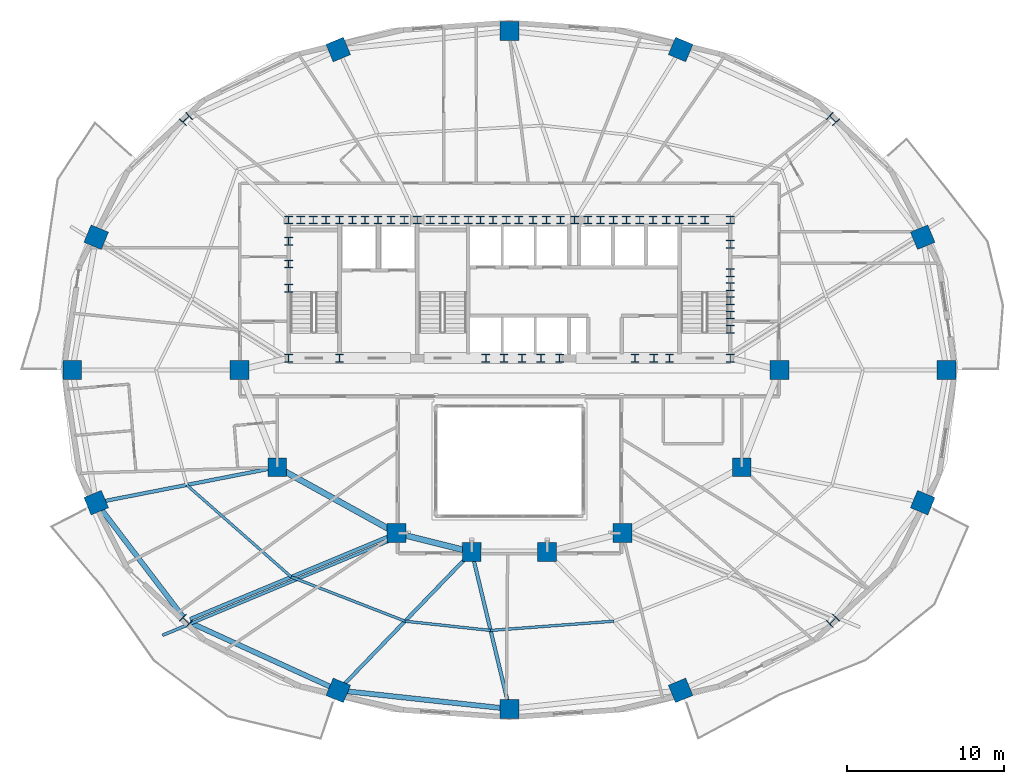
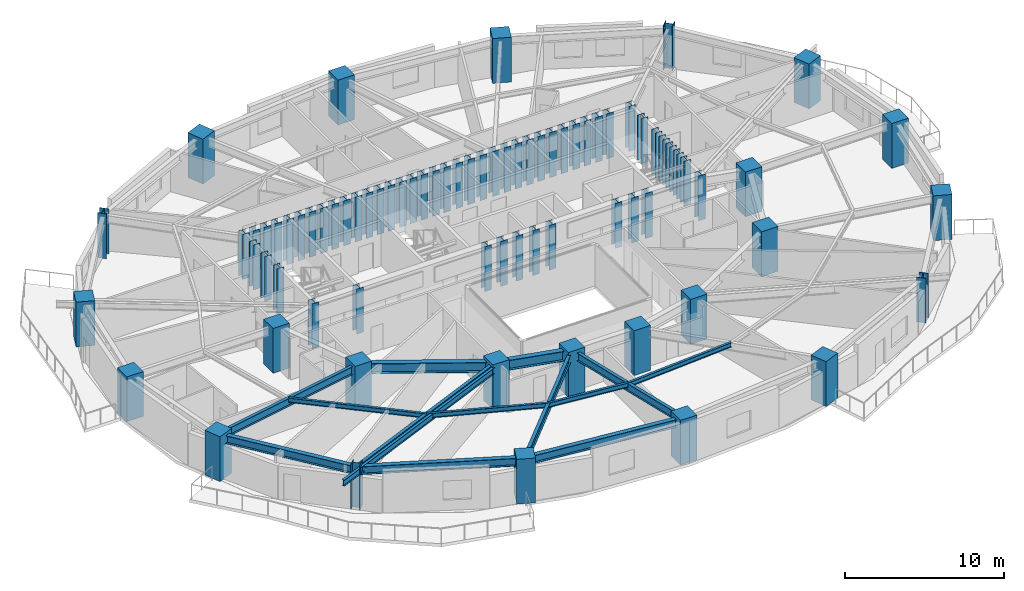
# One storey, part 1 of 14: 78 columns, 14 beams.
"""IFC4 building model written with IfcOpenShell, lengths in metres."""

import ifcopenshell
import ifcopenshell.guid

model = None  # the IFC model being written
_history = None  # IfcOwnerHistory: only IFC2X3 demands one
_inside = {}  # id of a spatial element -> (the spatial element, [elements in it])
_under = {}  # id of a project, library or spatial element -> (it, [spatial elements below it])
_declared = {}  # id of a project -> (the project, [libraries it declares])
_typed = {}  # id of a type object -> (the type object, [elements of that type])
_made_of = {}  # id of a material, layer set ... -> (it, [elements and type objects made of it])


def new_model(schema):
    """Start an empty IFC model of exactly this schema.

    Asked for "IFC4X3", IfcOpenShell would pick the latest addendum, in which some entities
    have other attributes; the version numbers below select the first issue.
    IFC2X3 requires an IfcOwnerHistory on every rooted entity: one is made here for all.
    """
    global model, _history
    if schema == "IFC4X3":
        model = ifcopenshell.file(schema_version=(4, 3, 0, 0))
    else:
        model = ifcopenshell.file(schema=schema)
    _inside.clear()
    _under.clear()
    _declared.clear()
    _typed.clear()
    _made_of.clear()
    _history = None
    if model.schema == "IFC2X3":
        org = make("IfcOrganization", Name="unknown")
        user = make(
            "IfcPersonAndOrganization",
            ThePerson=make("IfcPerson", FamilyName="unknown"),
            TheOrganization=org,
        )
        app = make(
            "IfcApplication",
            ApplicationDeveloper=org,
            Version="unknown",
            ApplicationFullName="unknown",
            ApplicationIdentifier="unknown",
        )
        _history = make(
            "IfcOwnerHistory",
            OwningUser=user,
            OwningApplication=app,
            ChangeAction="ADDED",
            CreationDate=0,
        )
    return model


def make(cls, **values):
    """One entity of the class cls with the attributes given. An attribute that is None is left unset."""
    return model.create_entity(
        cls, **{name: value for name, value in values.items() if value is not None}
    )


def rooted(cls, **values):
    """An entity with a GlobalId (a new one), such as an element, a storey or a relation."""
    return make(cls, GlobalId=ifcopenshell.guid.new(), OwnerHistory=_history, **values)


def si_unit(unit_type, name, prefix=None):
    """IfcSIUnit, for example si_unit("LENGTHUNIT", "METRE", prefix="MILLI")."""
    return make("IfcSIUnit", UnitType=unit_type, Prefix=prefix, Name=name)


def assignment(units):
    """IfcUnitAssignment: the units of a project."""
    return None if units is None else make("IfcUnitAssignment", Units=units)


def point(xyz):
    """IfcCartesianPoint."""
    return None if xyz is None else make("IfcCartesianPoint", Coordinates=xyz)


def direction(xyz):
    """IfcDirection."""
    return None if xyz is None else make("IfcDirection", DirectionRatios=xyz)


def frame(location, z_axis=None, x_axis=None):
    """IfcAxis2Placement3D, a coordinate frame: its origin and axes. An axis left out is left unset."""
    return make(
        "IfcAxis2Placement3D",
        Location=point(location),
        Axis=direction(z_axis),
        RefDirection=direction(x_axis),
    )


def frame_2d(location, x_axis=None):
    """IfcAxis2Placement2D, a coordinate frame in the plane: its origin and x axis."""
    return make(
        "IfcAxis2Placement2D", Location=point(location), RefDirection=direction(x_axis)
    )


def origin():
    """The frame at (0, 0, 0) with its axes left unset."""
    return frame((0.0, 0.0, 0.0))


def origin_2d():
    """The frame at (0, 0) in the plane with its x axis left unset."""
    return frame_2d((0.0, 0.0))


def place(relative_to, where):
    """IfcLocalPlacement: puts the frame where relative to a parent placement (None: the world)."""
    return make(
        "IfcLocalPlacement", PlacementRelTo=relative_to, RelativePlacement=where
    )


def context(
    kind, dimensions, precision=None, world=None, true_north=None, identifier=None
):
    """IfcGeometricRepresentationContext, for example the 3D "Model" context."""
    return make(
        "IfcGeometricRepresentationContext",
        ContextIdentifier=identifier,
        ContextType=kind,
        CoordinateSpaceDimension=dimensions,
        Precision=precision,
        WorldCoordinateSystem=world,
        TrueNorth=true_north,
    )


def subcontext(parent, identifier, kind, view, scale=None):
    """IfcGeometricRepresentationSubContext, for example "Body" below "Model"."""
    return make(
        "IfcGeometricRepresentationSubContext",
        ContextIdentifier=identifier,
        ContextType=kind,
        ParentContext=parent,
        TargetScale=scale,
        TargetView=view,
    )


def project(units=None, contexts=None):
    """IfcProject with its units and contexts."""
    return rooted(
        "IfcProject",
        Name="project",
        RepresentationContexts=contexts,
        UnitsInContext=assignment(units),
    )


def spatial(cls, under=None, at=None, **own):
    """A site, building, storey or space (cls), placed at a placement, below another one or the project."""
    s = rooted(cls, ObjectPlacement=at, **own)
    if under is not None:
        _under.setdefault(under.id(), (under, []))[1].append(s)
    return s


def profile(cls, at=None, kind="AREA", **sizes):
    """A parametric profile (cls). Its sizes go by their IFC names, for example OverallWidth=200.0."""
    return make(cls, ProfileType=kind, Position=at, **sizes)


def rectangle(**sizes):
    """IfcRectangleProfileDef."""
    return profile("IfcRectangleProfileDef", **sizes)


def i_section(**sizes):
    """IfcIShapeProfileDef."""
    return profile("IfcIShapeProfileDef", **sizes)


def extrude(swept, where, along, depth):
    """IfcExtrudedAreaSolid: the profile swept, set in the frame where, extruded along a direction by depth."""
    return make(
        "IfcExtrudedAreaSolid",
        SweptArea=swept,
        Position=where,
        ExtrudedDirection=direction(along),
        Depth=depth,
    )


def shape(context_of_items, identifier, shape_type, items):
    """IfcShapeRepresentation: the items that make up one representation, for example the "Body"."""
    return make(
        "IfcShapeRepresentation",
        ContextOfItems=context_of_items,
        RepresentationIdentifier=identifier,
        RepresentationType=shape_type,
        Items=items,
    )


def material(Name=None, Category=None):
    """IfcMaterial."""
    return make("IfcMaterial", Name=Name, Category=Category)


def material_profile(
    of_material, cross_section, Name=None, Category=None, Priority=None
):
    """IfcMaterialProfile: a cross section and its material."""
    return make(
        "IfcMaterialProfile",
        Name=Name,
        Material=of_material,
        Profile=cross_section,
        Priority=Priority,
        Category=Category,
    )


def profile_set(profiles, Name=None, composite=None):
    """IfcMaterialProfileSet."""
    return make(
        "IfcMaterialProfileSet",
        Name=Name,
        MaterialProfiles=profiles,
        CompositeProfile=composite,
    )


def made_of(thing, what):
    """Note that an element or type object is made of a material, layer set ...; save() writes the relation."""
    if what is not None:
        _made_of.setdefault(what.id(), (what, []))[1].append(thing)
    return thing


def type_object(cls, material=None, **own):
    """A type object (cls), such as IfcWallType, which elements share."""
    return made_of(rooted(cls, **own), material)


def element(
    cls,
    number,
    at=None,
    inside=None,
    cuts=None,
    type_object=None,
    material=None,
    context=None,
    identifier="Body",
    shape_type=None,
    held_by="IfcProductDefinitionShape",
    body=None,
    shapes=None,
    **own,
):
    """One element of the class cls, such as IfcWall. Its Tag is "e" and its number.

    at: its placement. inside: the storey or other place that contains it. cuts: it is an
    opening in that element (IfcRelVoidsElement). A single representation is given by context,
    identifier, shape_type and body (its items); several are given by shapes. held_by: the class
    of the entity that holds the representations. save() writes the other relations.
    """
    e = rooted(cls, Tag="e%d" % number, ObjectPlacement=at, **own)
    if body is not None:
        shapes = [shape(context, identifier, shape_type, body)]
    if shapes is not None:
        e.Representation = make(held_by, Representations=shapes)
    if inside is not None:
        _inside.setdefault(inside.id(), (inside, []))[1].append(e)
    if cuts is not None:
        rooted(
            "IfcRelVoidsElement", RelatingBuildingElement=cuts, RelatedOpeningElement=e
        )
    if type_object is not None:
        _typed.setdefault(type_object.id(), (type_object, []))[1].append(e)
    return made_of(e, material)


def aggregate(whole, parts):
    """IfcRelAggregates: a whole, such as a stair, and the parts it consists of."""
    return rooted("IfcRelAggregates", RelatingObject=whole, RelatedObjects=parts)


def save(model, path):
    """Write the relations noted so far, then the file.

    IfcRelAggregates (storeys below a building ...), IfcRelContainedInSpatialStructure (elements
    in a storey), IfcRelDefinesByType, IfcRelAssociatesMaterial and IfcRelDeclares: one each for
    every whole, place, type object, material and project.
    """
    for whole, parts in _under.values():
        aggregate(whole, parts)
    for where, things in _inside.values():
        rooted(
            "IfcRelContainedInSpatialStructure",
            RelatedElements=things,
            RelatingStructure=where,
        )
    for kind, things in _typed.values():
        rooted("IfcRelDefinesByType", RelatedObjects=things, RelatingType=kind)
    for what, things in _made_of.values():
        rooted("IfcRelAssociatesMaterial", RelatedObjects=things, RelatingMaterial=what)
    for by, libraries in _declared.values():
        rooted("IfcRelDeclares", RelatingContext=by, RelatedDefinitions=libraries)
    model.write(path)


model = new_model("IFC4")

# Units and contexts
model_context = context("Model", 3, precision=1e-05, world=origin(), true_north=direction((0.0, 1.0)))
body_context = subcontext(model_context, "Body", "Model", "MODEL_VIEW")
ifc_project = project(units=[si_unit("LENGTHUNIT", "METRE"), si_unit("AREAUNIT", "SQUARE_METRE"), si_unit("VOLUMEUNIT", "CUBIC_METRE"), si_unit("PLANEANGLEUNIT", "RADIAN"), si_unit("MASSUNIT", "GRAM", prefix="KILO")], contexts=[model_context])

# Site, building, storey
site_placement = place(None, origin())
site = spatial("IfcSite", under=ifc_project, at=site_placement, CompositionType="ELEMENT")
building_placement = place(site_placement, origin())
building = spatial("IfcBuilding", under=site, at=building_placement, Name="Haldorwick Loom Tower", CompositionType="ELEMENT")
storey_placement = place(building_placement, frame((0.0, 0.0, 95.60009765625)))
storey = spatial("IfcBuildingStorey", under=building, at=storey_placement, Name="L25", CompositionType="ELEMENT", Elevation=95.60009765625)

# Columns
ifc_material_1 = material(Name="Concrete C60 (60 MPa)", Category="concrete")
ifc_material_profile_1 = material_profile(ifc_material_1, rectangle(XDim=1.199951171875, YDim=1.199951171875, at=origin_2d()), Name="RC1200X1200", Category="concrete")
ifc_profile_set_1 = profile_set([ifc_material_profile_1], Name="Concrete C60 (60 MPa)")
column_type_1 = type_object("IfcColumnType", Name="STR-COL-RC1200", PredefinedType="COLUMN", material=ifc_profile_set_1)
for number, where, z_axis, x_axis, name in (
    (1, (53.199951171875, 26.0, 0.0), (0.0, 0.0, 1.0), (1.0, 0.0, 0.0), "L25 Inner Column IC-01"),
    (2, (50.800048828125, 19.800048828125, 0.0), (0.0, 0.0, 1.0), (1.0, 0.0, 0.0), "L25 Inner Column IC-02"),
    (3, (43.199951171875, 15.60009765625, 0.0), (0.0, 0.0, 1.0), (1.0, 0.0, 0.0), "L25 Inner Column IC-03"),
    (4, (38.39990234375, 14.39990234375, 0.0), (0.0, 0.0, 1.0), (1.0, 0.0, 0.0), "L25 Inner Column IC-04"),
    (5, (33.60009765625, 14.39990234375, 0.0), (0.0, 0.0, 1.0), (1.0, 0.0, 0.0), "L25 Inner Column IC-05"),
    (6, (28.800048828125, 15.60009765625, 0.0), (0.0, 0.0, 1.0), (1.0, 0.0, 0.0), "L25 Inner Column IC-06"),
    (7, (21.199951171875, 19.800048828125, 0.0), (0.0, 0.0, 1.0), (1.0, 0.0, 0.0), "L25 Inner Column IC-07"),
    (8, (18.800048828125, 26.0, 0.0), (0.0, 0.0, 1.0), (1.0, 0.0, 0.0), "L25 Inner Column IC-08"),
    (9, (63.857666015625, 26.0, 0.0), (0.0, 0.0, 1.0), (1.0, 0.0, 0.0), "L25 Perimeter Pier Column P01"),
    (10, (62.33056640625, 34.457275390625, 0.0), (0.0, 0.0, 1.0), (0.923879532511, 0.382683432365, 0.0), "L25 Perimeter Pier Column P02"),
    (11, (46.906494140625, 46.417724609375, 0.0), (0.0, 0.0, 1.0), (0.382683432365, 0.923879532511, 0.0), "L25 Perimeter Pier Column P04"),
    (12, (36.0, 47.598388671875, 0.0), (0.0, 0.0, 1.0), (0.0, 1.0, 0.0), "L25 Perimeter Pier Column P05"),
    (13, (25.093505859375, 46.417724609375, 0.0), (0.0, 0.0, 1.0), (-0.382683432365, 0.923879532511, 0.0), "L25 Perimeter Pier Column P06"),
    (14, (9.66943359375, 34.457275390625, 0.0), (0.0, 0.0, 1.0), (-0.923879532511, 0.382683432365, 0.0), "L25 Perimeter Pier Column P08"),
    (15, (8.142333984375, 26.0, 0.0), (0.0, 0.0, 1.0), (-1.0, 0.0, 0.0), "L25 Perimeter Pier Column P09"),
    (16, (9.66943359375, 17.542724609375, 0.0), (0.0, 0.0, 1.0), (-0.923879532511, -0.382683432365, 0.0), "L25 Perimeter Pier Column P10"),
    (17, (25.093505859375, 5.582275390625, 0.0), (0.0, 0.0, 1.0), (-0.382683432365, -0.923879532511, 0.0), "L25 Perimeter Pier Column P12"),
    (18, (36.0, 4.401611328125, 0.0), (0.0, 0.0, 1.0), (0.0, -1.0, 0.0), "L25 Perimeter Pier Column P13"),
    (19, (46.906494140625, 5.582275390625, 0.0), (0.0, 0.0, 1.0), (0.382683432365, -0.923879532511, 0.0), "L25 Perimeter Pier Column P14"),
    (20, (62.33056640625, 17.542724609375, 0.0), (0.0, 0.0, 1.0), (0.923879532511, -0.382683432365, 0.0), "L25 Perimeter Pier Column P16"),
):
    element("IfcColumn", number, at=place(storey_placement, frame(where, z_axis=z_axis, x_axis=x_axis)), inside=storey, type_object=column_type_1, Name=name, PredefinedType="COLUMN", context=body_context, shape_type="SweptSolid", body=[
        extrude(rectangle(XDim=1.199951171875, YDim=1.199951171875, at=origin_2d()), origin(), (0.0, 0.0, 1.0), 3.449951171875),
    ])
ifc_material_2 = material(Name="Steel CSA G40.21 350WT", Category="steel")
ifc_material_profile_2 = material_profile(ifc_material_2, i_section(OverallWidth=0.5, OverallDepth=0.5, WebThickness=0.02197265625, FlangeThickness=0.031982421875, at=origin_2d()), Name="WWF500X500", Category="steel")
ifc_profile_set_2 = profile_set([ifc_material_profile_2], Name="Steel CSA G40.21 350WT")
column_type_2 = type_object("IfcColumnType", Name="STR-COL-WWF500", PredefinedType="COLUMN", material=ifc_profile_set_2)
for number, where, z_axis, x_axis, name in (
    (21, (21.929931640625, 35.550048828125, 0.0), (0.0, 0.0, 1.0), (1.0, 0.0, 0.0), "L25 Core Pilaster CB-01"),
    (22, (23.5, 35.550048828125, 0.0), (0.0, 0.0, 1.0), (1.0, 0.0, 0.0), "L25 Core Pilaster CB-02"),
    (23, (25.169921875, 35.550048828125, 0.0), (0.0, 0.0, 1.0), (1.0, 0.0, 0.0), "L25 Core Pilaster CB-03"),
    (24, (26.800048828125, 35.550048828125, 0.0), (0.0, 0.0, 1.0), (1.0, 0.0, 0.0), "L25 Core Pilaster CB-04"),
    (25, (28.449951171875, 35.550048828125, 0.0), (0.0, 0.0, 1.0), (1.0, 0.0, 0.0), "L25 Core Pilaster CB-05"),
    (26, (30.1298828125, 35.550048828125, 0.0), (0.0, 0.0, 1.0), (1.0, 0.0, 0.0), "L25 Core Pilaster CB-06"),
    (27, (31.75, 35.550048828125, 0.0), (0.0, 0.0, 1.0), (1.0, 0.0, 0.0), "L25 Core Pilaster CB-07"),
    (28, (33.3701171875, 35.550048828125, 0.0), (0.0, 0.0, 1.0), (1.0, 0.0, 0.0), "L25 Core Pilaster CB-08"),
    (29, (34.949951171875, 35.550048828125, 0.0), (0.0, 0.0, 1.0), (1.0, 0.0, 0.0), "L25 Core Pilaster CB-09"),
    (30, (36.60009765625, 35.550048828125, 0.0), (0.0, 0.0, 1.0), (1.0, 0.0, 0.0), "L25 Core Pilaster CB-10"),
    (31, (38.35009765625, 35.550048828125, 0.0), (0.0, 0.0, 1.0), (1.0, 0.0, 0.0), "L25 Core Pilaster CB-11"),
    (32, (40.14990234375, 35.550048828125, 0.0), (0.0, 0.0, 1.0), (1.0, 0.0, 0.0), "L25 Core Pilaster CB-12"),
    (33, (41.800048828125, 35.550048828125, 0.0), (0.0, 0.0, 1.0), (1.0, 0.0, 0.0), "L25 Core Pilaster CB-13"),
    (34, (43.449951171875, 35.550048828125, 0.0), (0.0, 0.0, 1.0), (1.0, 0.0, 0.0), "L25 Core Pilaster CB-14"),
    (35, (45.14990234375, 35.550048828125, 0.0), (0.0, 0.0, 1.0), (1.0, 0.0, 0.0), "L25 Core Pilaster CB-15"),
    (36, (46.830078125, 35.550048828125, 0.0), (0.0, 0.0, 1.0), (1.0, 0.0, 0.0), "L25 Core Pilaster CB-16"),
    (37, (48.449951171875, 35.550048828125, 0.0), (0.0, 0.0, 1.0), (1.0, 0.0, 0.0), "L25 Core Pilaster CB-17"),
    (38, (50.070068359375, 35.550048828125, 0.0), (0.0, 0.0, 1.0), (1.0, 0.0, 0.0), "L25 Core Pilaster CB-18"),
    (39, (21.929931640625, 26.75, 0.0), (0.0, 0.0, 1.0), (1.0, 0.0, 0.0), "L25 Core Pilaster CB-19"),
    (40, (25.169921875, 26.75, 0.0), (0.0, 0.0, 1.0), (1.0, 0.0, 0.0), "L25 Core Pilaster CB-20"),
    (41, (34.5, 26.75, 0.0), (0.0, 0.0, 1.0), (1.0, 0.0, 0.0), "L25 Core Pilaster CB-21"),
    (42, (36.800048828125, 26.75, 0.0), (0.0, 0.0, 1.0), (1.0, 0.0, 0.0), "L25 Core Pilaster CB-22"),
    (43, (39.199951171875, 26.75, 0.0), (0.0, 0.0, 1.0), (1.0, 0.0, 0.0), "L25 Core Pilaster CB-23"),
    (44, (45.199951171875, 26.75, 0.0), (0.0, 0.0, 1.0), (1.0, 0.0, 0.0), "L25 Core Pilaster CB-24"),
    (45, (50.070068359375, 26.75, 0.0), (0.0, 0.0, 1.0), (1.0, 0.0, 0.0), "L25 Core Pilaster CB-25"),
    (46, (21.929931640625, 31.199951171875, 0.0), (0.0, 0.0, 1.0), (1.0, 0.0, 0.0), "L25 Core Pilaster CB-26"),
    (47, (21.929931640625, 32.75, 0.0), (0.0, 0.0, 1.0), (1.0, 0.0, 0.0), "L25 Core Pilaster CB-27"),
    (48, (21.929931640625, 34.199951171875, 0.0), (0.0, 0.0, 1.0), (1.0, 0.0, 0.0), "L25 Core Pilaster CB-28"),
    (49, (50.070068359375, 28.60009765625, 0.0), (0.0, 0.0, 1.0), (1.0, 0.0, 0.0), "L25 Core Pilaster CB-29"),
    (50, (50.070068359375, 30.39990234375, 0.0), (0.0, 0.0, 1.0), (1.0, 0.0, 0.0), "L25 Core Pilaster CB-30"),
    (51, (50.070068359375, 32.199951171875, 0.0), (0.0, 0.0, 1.0), (1.0, 0.0, 0.0), "L25 Core Pilaster CB-31"),
    (52, (50.070068359375, 34.0, 0.0), (0.0, 0.0, 1.0), (1.0, 0.0, 0.0), "L25 Core Pilaster CB-32"),
    (53, (22.699951171875, 35.550048828125, 0.0), (0.0, 0.0, 1.0), (1.0, 0.0, 0.0), "L25 Core Pilaster CB-33"),
    (54, (27.6201171875, 35.550048828125, 0.0), (0.0, 0.0, 1.0), (1.0, 0.0, 0.0), "L25 Core Pilaster CB-34"),
    (55, (32.550048828125, 35.550048828125, 0.0), (0.0, 0.0, 1.0), (1.0, 0.0, 0.0), "L25 Core Pilaster CB-35"),
    (56, (37.5, 35.550048828125, 0.0), (0.0, 0.0, 1.0), (1.0, 0.0, 0.0), "L25 Core Pilaster CB-36"),
    (57, (42.6201171875, 35.550048828125, 0.0), (0.0, 0.0, 1.0), (1.0, 0.0, 0.0), "L25 Core Pilaster CB-37"),
    (58, (47.64990234375, 35.550048828125, 0.0), (0.0, 0.0, 1.0), (1.0, 0.0, 0.0), "L25 Core Pilaster CB-38"),
    (59, (24.300048828125, 35.550048828125, 0.0), (0.0, 0.0, 1.0), (1.0, 0.0, 0.0), "L25 Core Pilaster CB-39"),
    (60, (26.0, 35.550048828125, 0.0), (0.0, 0.0, 1.0), (1.0, 0.0, 0.0), "L25 Core Pilaster CB-40"),
    (61, (29.300048828125, 35.550048828125, 0.0), (0.0, 0.0, 1.0), (1.0, 0.0, 0.0), "L25 Core Pilaster CB-41"),
    (62, (30.949951171875, 35.550048828125, 0.0), (0.0, 0.0, 1.0), (1.0, 0.0, 0.0), "L25 Core Pilaster CB-42"),
    (63, (34.14990234375, 35.550048828125, 0.0), (0.0, 0.0, 1.0), (1.0, 0.0, 0.0), "L25 Core Pilaster CB-43"),
    (64, (35.800048828125, 35.550048828125, 0.0), (0.0, 0.0, 1.0), (1.0, 0.0, 0.0), "L25 Core Pilaster CB-44"),
    (65, (39.25, 35.550048828125, 0.0), (0.0, 0.0, 1.0), (1.0, 0.0, 0.0), "L25 Core Pilaster CB-45"),
    (66, (41.0, 35.550048828125, 0.0), (0.0, 0.0, 1.0), (1.0, 0.0, 0.0), "L25 Core Pilaster CB-46"),
    (67, (44.300048828125, 35.550048828125, 0.0), (0.0, 0.0, 1.0), (1.0, 0.0, 0.0), "L25 Core Pilaster CB-47"),
    (68, (46.0, 35.550048828125, 0.0), (0.0, 0.0, 1.0), (1.0, 0.0, 0.0), "L25 Core Pilaster CB-48"),
    (69, (50.070068359375, 29.5, 0.0), (0.0, 0.0, 1.0), (1.0, 0.0, 0.0), "L25 Core Pilaster CB-49"),
    (70, (50.070068359375, 31.300048828125, 0.0), (0.0, 0.0, 1.0), (1.0, 0.0, 0.0), "L25 Core Pilaster CB-50"),
    (71, (35.64990234375, 26.75, 0.0), (0.0, 0.0, 1.0), (1.0, 0.0, 0.0), "L25 Core Pilaster CB-51"),
    (72, (38.0, 26.75, 0.0), (0.0, 0.0, 1.0), (1.0, 0.0, 0.0), "L25 Core Pilaster CB-52"),
    (73, (44.0, 26.75, 0.0), (0.0, 0.0, 1.0), (1.0, 0.0, 0.0), "L25 Core Pilaster CB-53"),
    (74, (46.199951171875, 26.75, 0.0), (0.0, 0.0, 1.0), (1.0, 0.0, 0.0), "L25 Core Pilaster CB-54"),
):
    element("IfcColumn", number, at=place(storey_placement, frame(where, z_axis=z_axis, x_axis=x_axis)), inside=storey, type_object=column_type_2, Name=name, PredefinedType="COLUMN", context=body_context, shape_type="SweptSolid", body=[
        extrude(i_section(OverallWidth=0.5, OverallDepth=0.5, WebThickness=0.02197265625, FlangeThickness=0.031982421875, at=origin_2d()), origin(), (0.0, 0.0, 1.0), 3.449951171875),
    ])
ifc_material_profile_3 = material_profile(ifc_material_2, i_section(OverallWidth=0.60009765625, OverallDepth=0.60009765625, WebThickness=0.02490234375, FlangeThickness=0.035888671875, at=origin_2d()), Name="WWF600X600", Category="steel")
ifc_profile_set_3 = profile_set([ifc_material_profile_3], Name="Steel CSA G40.21 350WT")
column_type_3 = type_object("IfcColumnType", Name="STR-COL-WWF600", PredefinedType="COLUMN", material=ifc_profile_set_3)
for number, where, z_axis, x_axis, name in (
    (75, (56.606689453125, 41.981689453125, 0.0), (0.0, 0.0, 1.0), (0.707106781187, 0.707106781187, 0.0), "L25 Perimeter Pier Column P03"),
    (76, (15.393310546875, 41.981689453125, 0.0), (0.0, 0.0, 1.0), (-0.707106781187, 0.707106781187, 0.0), "L25 Perimeter Pier Column P07"),
    (77, (15.393310546875, 10.018310546875, 0.0), (0.0, 0.0, 1.0), (-0.707106781187, -0.707106781187, 0.0), "L25 Perimeter Pier Column P11"),
    (78, (56.606689453125, 10.018310546875, 0.0), (0.0, 0.0, 1.0), (0.707106781187, -0.707106781187, 0.0), "L25 Perimeter Pier Column P15"),
):
    element("IfcColumn", number, at=place(storey_placement, frame(where, z_axis=z_axis, x_axis=x_axis)), inside=storey, type_object=column_type_3, Name=name, PredefinedType="COLUMN", context=body_context, shape_type="SweptSolid", body=[
        extrude(i_section(OverallWidth=0.60009765625, OverallDepth=0.60009765625, WebThickness=0.02490234375, FlangeThickness=0.035888671875, at=origin_2d()), origin(), (0.0, 0.0, 1.0), 3.449951171875),
    ])

# Beams
ifc_material_3 = material(Name="Steel CSA G40.21 350W", Category="steel")
ifc_material_profile_4 = material_profile(ifc_material_3, i_section(OverallWidth=0.193115234375, OverallDepth=0.466064453125, WebThickness=0.011474609375, FlangeThickness=0.01904296875, at=origin_2d()), Name="W460X97", Category="steel")
ifc_profile_set_4 = profile_set([ifc_material_profile_4], Name="Steel CSA G40.21 350W")
beam_type_1 = type_object("IfcBeamType", Name="STR-BM-BAL460", PredefinedType="BEAM", material=ifc_profile_set_4)
beam_1_placement = place(storey_placement, frame((28.427490234375, 15.1416015625, 2.976806640625), z_axis=(-0.923185561192, -0.38435454935, 0.0), x_axis=(0.38435454935, -0.923185561192, 0.0)))
element("IfcBeam", 79, at=beam_1_placement, inside=storey, type_object=beam_type_1, Name="L25 Continuous Back-Spanned Balcony Beam 2", PredefinedType="BEAM", context=body_context, shape_type="SweptSolid", body=[
    extrude(i_section(OverallWidth=0.193115234375, OverallDepth=0.466064453125, WebThickness=0.011474609375, FlangeThickness=0.01904296875, at=origin_2d()), origin(), (0.0, 0.0, 1.0), 15.752197265625),
])
ifc_material_profile_5 = material_profile(ifc_material_3, i_section(OverallWidth=0.172119140625, OverallDepth=0.35791015625, WebThickness=0.0078125, FlangeThickness=0.01318359375, at=origin_2d()), Name="W360X57", Category="steel")
ifc_profile_set_5 = profile_set([ifc_material_profile_5], Name="Steel CSA G40.21 350W")
beam_type_2 = type_object("IfcBeamType", Name="STR-BM-J360", PredefinedType="JOIST", material=ifc_profile_set_5)
beam_2_placement = place(storey_placement, frame((15.434814453125, 18.67138671875, 3.031005859375), z_axis=(0.750721157729, -0.660619212057, 0.0), x_axis=(0.660619212057, 0.750721157729, 0.0)))
element("IfcBeam", 80, at=beam_2_placement, inside=storey, type_object=beam_type_2, Name="L25 Mid-Bay Secondary Joist 10", PredefinedType="JOIST", context=body_context, shape_type="SweptSolid", body=[
    extrude(i_section(OverallWidth=0.172119140625, OverallDepth=0.35791015625, WebThickness=0.0078125, FlangeThickness=0.01318359375, at=origin_2d()), origin(), (0.0, 0.0, 1.0), 8.8740234375),
])
beam_3_placement = place(storey_placement, frame((22.0966796875, 12.80908203125, 3.031005859375), z_axis=(0.932072983051, -0.362270553959, 0.0), x_axis=(0.362270553959, 0.932072983051, 0.0)))
element("IfcBeam", 81, at=beam_3_placement, inside=storey, type_object=beam_type_2, Name="L25 Mid-Bay Secondary Joist 11", PredefinedType="JOIST", context=body_context, shape_type="SweptSolid", body=[
    extrude(i_section(OverallWidth=0.172119140625, OverallDepth=0.35791015625, WebThickness=0.0078125, FlangeThickness=0.01318359375, at=origin_2d()), origin(), (0.0, 0.0, 1.0), 7.7783203125),
])
beam_4_placement = place(storey_placement, frame((29.3466796875, 9.9912109375, 3.031005859375), z_axis=(0.994191869342, -0.107622148904, 0.0), x_axis=(0.107622148904, 0.994191869342, 0.0)))
element("IfcBeam", 82, at=beam_4_placement, inside=storey, type_object=beam_type_2, Name="L25 Mid-Bay Secondary Joist 12", PredefinedType="JOIST", context=body_context, shape_type="SweptSolid", body=[
    extrude(i_section(OverallWidth=0.172119140625, OverallDepth=0.35791015625, WebThickness=0.0078125, FlangeThickness=0.01318359375, at=origin_2d()), origin(), (0.0, 0.0, 1.0), 5.485107421875),
])
beam_5_placement = place(storey_placement, frame((34.800048828125, 9.40087890625, 3.031005859375), z_axis=(0.99718663731, 0.074958724439, 0.0), x_axis=(-0.074958724439, 0.99718663731, 0.0)))
element("IfcBeam", 83, at=beam_5_placement, inside=storey, type_object=beam_type_2, Name="L25 Mid-Bay Secondary Joist 13", PredefinedType="JOIST", context=body_context, shape_type="SweptSolid", body=[
    extrude(i_section(OverallWidth=0.172119140625, OverallDepth=0.35791015625, WebThickness=0.0078125, FlangeThickness=0.01318359375, at=origin_2d()), origin(), (0.0, 0.0, 1.0), 7.87548828125),
])
ifc_material_profile_6 = material_profile(ifc_material_3, i_section(OverallWidth=0.324951171875, OverallDepth=0.615966796875, WebThickness=0.013916015625, FlangeThickness=0.021484375, at=origin_2d()), Name="W610X174", Category="steel")
ifc_profile_set_6 = profile_set([ifc_material_profile_6], Name="Steel CSA G40.21 350W")
beam_type_3 = type_object("IfcBeamType", Name="STR-BM-SP610", PredefinedType="SPANDREL", material=ifc_profile_set_6)
beam_6_placement = place(storey_placement, frame((9.984130859375, 17.12890625, 2.90185546875), z_axis=(0.605453508047, -0.795880675475, 0.0), x_axis=(0.795880675475, 0.605453508047, 0.0)))
element("IfcBeam", 84, at=beam_6_placement, inside=storey, type_object=beam_type_3, Name="L25 Perimeter Spandrel 10", PredefinedType="SPANDREL", context=body_context, shape_type="SweptSolid", body=[
    extrude(i_section(OverallWidth=0.324951171875, OverallDepth=0.615966796875, WebThickness=0.013916015625, FlangeThickness=0.021484375, at=origin_2d()), origin(), (0.0, 0.0, 1.0), 8.6591796875),
])
beam_7_placement = place(storey_placement, frame((15.643310546875, 9.90380859375, 2.90185546875), z_axis=(0.909423969306, -0.415870225011, 0.0), x_axis=(0.415870225011, 0.909423969306, 0.0)))
element("IfcBeam", 85, at=beam_7_placement, inside=storey, type_object=beam_type_3, Name="L25 Perimeter Spandrel 11", PredefinedType="SPANDREL", context=body_context, shape_type="SweptSolid", body=[
    extrude(i_section(OverallWidth=0.324951171875, OverallDepth=0.615966796875, WebThickness=0.013916015625, FlangeThickness=0.021484375, at=origin_2d()), origin(), (0.0, 0.0, 1.0), 9.871337890625),
])
beam_8_placement = place(storey_placement, frame((25.610595703125, 5.5263671875, 2.90185546875), z_axis=(0.994190135627, -0.107638163409, 0.0), x_axis=(0.107638163409, 0.994190135627, 0.0)))
element("IfcBeam", 86, at=beam_8_placement, inside=storey, type_object=beam_type_3, Name="L25 Perimeter Spandrel 12", PredefinedType="SPANDREL", context=body_context, shape_type="SweptSolid", body=[
    extrude(i_section(OverallWidth=0.324951171875, OverallDepth=0.615966796875, WebThickness=0.013916015625, FlangeThickness=0.021484375, at=origin_2d()), origin(), (0.0, 0.0, 1.0), 9.929931640625),
])
ifc_material_profile_7 = material_profile(ifc_material_3, i_section(OverallWidth=0.22998046875, OverallDepth=0.616943359375, WebThickness=0.01318359375, FlangeThickness=0.022216796875, at=origin_2d()), Name="W610X140", Category="steel")
ifc_profile_set_7 = profile_set([ifc_material_profile_7], Name="Steel CSA G40.21 350W")
beam_type_4 = type_object("IfcBeamType", Name="STR-BM-W610B", PredefinedType="BEAM", material=ifc_profile_set_7)
beam_9_placement = place(storey_placement, frame((20.689697265625, 19.7001953125, 2.9013671875), z_axis=(-0.981369581426, -0.192129499692, 0.0), x_axis=(0.192129499692, -0.981369581426, 0.0)))
element("IfcBeam", 87, at=beam_9_placement, inside=storey, type_object=beam_type_4, Name="L25 Radial Floor Girder 10", PredefinedType="BEAM", context=body_context, shape_type="SweptSolid", body=[
    extrude(i_section(OverallWidth=0.22998046875, OverallDepth=0.616943359375, WebThickness=0.01318359375, FlangeThickness=0.022216796875, at=origin_2d()), origin(), (0.0, 0.0, 1.0), 10.70947265625),
])
beam_10_placement = place(storey_placement, frame((28.31982421875, 15.400146484375, 2.9013671875), z_axis=(-0.923183704764, -0.384359008297, 0.0), x_axis=(0.384359008297, -0.923183704764, 0.0)))
element("IfcBeam", 88, at=beam_10_placement, inside=storey, type_object=beam_type_4, Name="L25 Radial Floor Girder 11", PredefinedType="BEAM", context=body_context, shape_type="SweptSolid", body=[
    extrude(i_section(OverallWidth=0.22998046875, OverallDepth=0.616943359375, WebThickness=0.01318359375, FlangeThickness=0.022216796875, at=origin_2d()), origin(), (0.0, 0.0, 1.0), 13.72705078125),
])
beam_11_placement = place(storey_placement, frame((33.239013671875, 14.02587890625, 2.9013671875), z_axis=(-0.694287071595, -0.719698174387, 0.0), x_axis=(0.719698174387, -0.694287071595, 0.0)))
element("IfcBeam", 89, at=beam_11_placement, inside=storey, type_object=beam_type_4, Name="L25 Radial Floor Girder 12", PredefinedType="BEAM", context=body_context, shape_type="SweptSolid", body=[
    extrude(i_section(OverallWidth=0.22998046875, OverallDepth=0.616943359375, WebThickness=0.01318359375, FlangeThickness=0.022216796875, at=origin_2d()), origin(), (0.0, 0.0, 1.0), 11.212158203125),
])
beam_12_placement = place(storey_placement, frame((33.721435546875, 13.894287109375, 2.9013671875), z_axis=(0.233406920764, -0.972379148964, 0.0), x_axis=(0.972379148964, 0.233406920764, 0.0)))
element("IfcBeam", 90, at=beam_12_placement, inside=storey, type_object=beam_type_4, Name="L25 Radial Floor Girder 13", PredefinedType="BEAM", context=body_context, shape_type="SweptSolid", body=[
    extrude(i_section(OverallWidth=0.22998046875, OverallDepth=0.616943359375, WebThickness=0.01318359375, FlangeThickness=0.022216796875, at=origin_2d()), origin(), (0.0, 0.0, 1.0), 9.242431640625),
])
ifc_material_profile_8 = material_profile(ifc_material_3, i_section(OverallWidth=0.381103515625, OverallDepth=0.77294921875, WebThickness=0.0166015625, FlangeThickness=0.027587890625, at=origin_2d()), Name="W760X257", Category="steel")
ifc_profile_set_8 = profile_set([ifc_material_profile_8], Name="Steel CSA G40.21 350W")
beam_type_5 = type_object("IfcBeamType", Name="STR-BM-W760", PredefinedType="BEAM", material=ifc_profile_set_8)
beam_13_placement = place(storey_placement, frame((33.095458984375, 14.526123046875, 2.823486328125), z_axis=(-0.970142500145, 0.242535625036, 0.0), x_axis=(-0.242535625036, -0.970142500145, 0.0)))
element("IfcBeam", 91, at=beam_13_placement, inside=storey, type_object=beam_type_5, Name="L25 Inner Ring Girder 6", PredefinedType="BEAM", context=body_context, shape_type="SweptSolid", body=[
    extrude(i_section(OverallWidth=0.381103515625, OverallDepth=0.77294921875, WebThickness=0.0166015625, FlangeThickness=0.027587890625, at=origin_2d()), origin(), (0.0, 0.0, 1.0), 3.90771484375),
])
beam_14_placement = place(storey_placement, frame((28.344970703125, 15.8515625, 2.823486328125), z_axis=(-0.875244382146, 0.483680960471, 0.0), x_axis=(-0.483680960471, -0.875244382146, 0.0)))
element("IfcBeam", 92, at=beam_14_placement, inside=storey, type_object=beam_type_5, Name="L25 Inner Ring Girder 7", PredefinedType="BEAM", context=body_context, shape_type="SweptSolid", body=[
    extrude(i_section(OverallWidth=0.381103515625, OverallDepth=0.77294921875, WebThickness=0.0166015625, FlangeThickness=0.027587890625, at=origin_2d()), origin(), (0.0, 0.0, 1.0), 7.6435546875),
])

save(model, "model.ifc")
